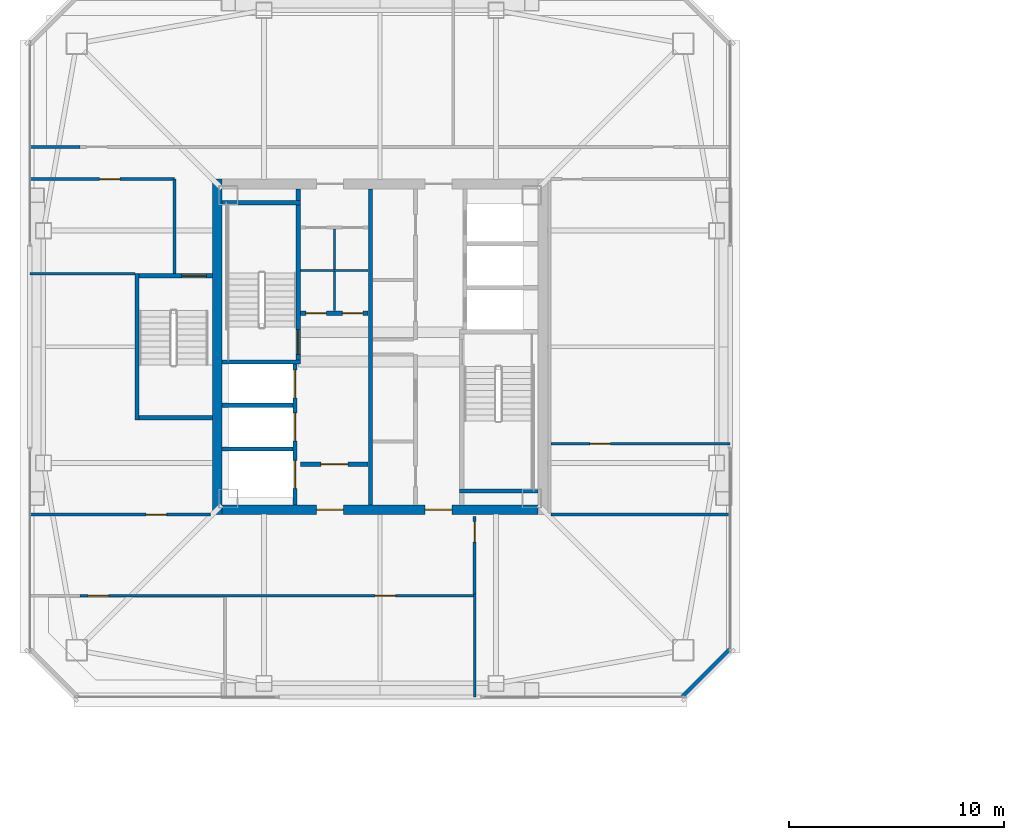
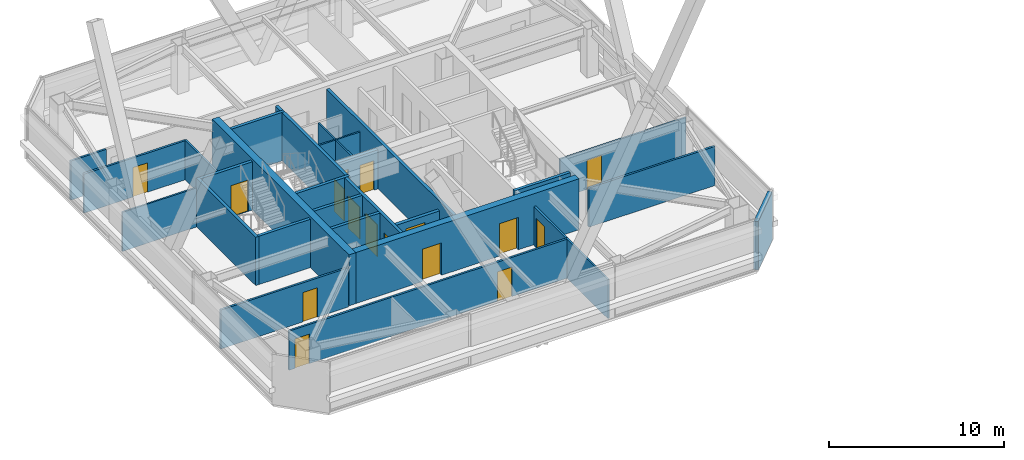
# One storey, part 37 of 47: 28 walls, 16 doors, 16 openings.
"""IFC4 building model written with IfcOpenShell, lengths in metres."""

from ifc_helpers import new_model, si_unit, direction, frame, frame_2d, origin, place, context, subcontext, project, spatial, rectangle, extrude, material, layer, layer_set, type_object, element, fill, save


model = new_model("IFC4")

# Units and contexts
model_context = context("Model", 3, precision=1e-05, world=origin(), true_north=direction((0.0, 1.0)))
body_context = subcontext(model_context, "Body", "Model", "MODEL_VIEW")
ifc_project = project(units=[si_unit("LENGTHUNIT", "METRE"), si_unit("AREAUNIT", "SQUARE_METRE"), si_unit("VOLUMEUNIT", "CUBIC_METRE"), si_unit("PLANEANGLEUNIT", "RADIAN"), si_unit("MASSUNIT", "GRAM", prefix="KILO")], contexts=[model_context])

# Site, building, storey
site_placement = place(None, origin())
site = spatial("IfcSite", under=ifc_project, at=site_placement, CompositionType="ELEMENT")
building_placement = place(site_placement, origin())
building = spatial("IfcBuilding", under=site, at=building_placement, Name="Tashvorn Skyway Center", CompositionType="ELEMENT")
storey_placement = place(building_placement, frame((0.0, 0.0, 204.199951171875)))
storey = spatial("IfcBuildingStorey", under=building, at=storey_placement, Name="L55", CompositionType="ELEMENT", Elevation=204.199951171875)

# Wall
ifc_material_1 = material(Name="Concrete C50/60", Category="concrete")
ifc_layer_1 = layer(ifc_material_1, 0.449951171875)
ifc_layer_set_1 = layer_set([ifc_layer_1], Name="Concrete C50/60")
wall_type_1 = type_object("IfcWallType", Name="WALL-CORE-450", PredefinedType="SHEAR", material=ifc_layer_set_1)
wall_1_placement = place(storey_placement, frame((34.425048828125, 24.199951171875, 0.0), z_axis=(0.0, 0.0, 1.0), x_axis=(0.0, 1.0, 0.0)))
element("IfcWall", 1, at=wall_1_placement, inside=storey, type_object=wall_type_1, Name="Tower 1 L55 West Core Shear Wall", PredefinedType="SHEAR", context=body_context, shape_type="SweptSolid", body=[
    extrude(rectangle(XDim=15.60009765625, YDim=0.449951171875, at=frame_2d((7.800048828125, 0.0))), origin(), (0.0, 0.0, 1.0), 3.550048828125),
])

# Wall, openings, doors
wall_2_placement = place(storey_placement, frame((49.35009765625, 24.425048828125, 0.0), z_axis=(0.0, 0.0, 1.0), x_axis=(-1.0, 0.0, 0.0)))
wall_2 = element("IfcWall", 2, at=wall_2_placement, inside=storey, type_object=wall_type_1, Name="Tower 1 L55 South Core Shear Wall", PredefinedType="SHEAR", context=body_context, shape_type="SweptSolid", body=[
    extrude(rectangle(XDim=14.7001953125, YDim=0.449951171875, at=frame_2d((7.35009765625, 0.0))), origin(), (0.0, 0.0, 1.0), 3.550048828125),
])
opening_1_placement = place(wall_2_placement, frame((9.050048828125, 0.0, 0.0)))
opening_1 = element("IfcOpeningElement", 3, at=opening_1_placement, cuts=wall_2, Name="Opening D-FFL-1250", PredefinedType="OPENING", context=body_context, shape_type="SweptSolid", body=[
    extrude(rectangle(XDim=1.25, YDim=2.25, at=frame_2d((0.625, 1.125))), frame((0.0, 0.23486328125, 0.0), z_axis=(0.0, -1.0, 0.0), x_axis=(1.0, 0.0, 0.0)), (0.0, 0.0, 1.0), 0.469970703125),
])
opening_2_placement = place(wall_2_placement, frame((4.0, 0.0, 0.0)))
opening_2 = element("IfcOpeningElement", 4, at=opening_2_placement, cuts=wall_2, Name="Opening D-FFL-1250", PredefinedType="OPENING", context=body_context, shape_type="SweptSolid", body=[
    extrude(rectangle(XDim=1.25, YDim=2.25, at=frame_2d((0.625, 1.125))), frame((0.0, 0.23486328125, 0.0), z_axis=(0.0, -1.0, 0.0), x_axis=(1.0, 0.0, 0.0)), (0.0, 0.0, 1.0), 0.469970703125),
])
ifc_material_2 = material(Name="Hollow galvanized steel fire door assembly", Category="steel")
door_type_1 = type_object("IfcDoorType", Name="DOOR-FFL-1250", OperationType="NOTDEFINED", PredefinedType="DOOR", material=ifc_material_2)
door_1_placement = place(opening_1_placement, origin())
door_1 = element("IfcDoor", 5, at=door_1_placement, inside=storey, type_object=door_type_1, Name="Tower 1 L55 Core South Firefighting Exit Door", OperationType="SINGLE_SWING_LEFT", OverallHeight=2.25, OverallWidth=1.25, PredefinedType="DOOR", context=body_context, shape_type="SweptSolid", body=[
    extrude(rectangle(XDim=1.25, YDim=2.25, at=frame_2d((0.625, 1.125))), frame((0.0, 0.02490234375, 0.0), z_axis=(0.0, -1.0, 0.0), x_axis=(1.0, 0.0, 0.0)), (0.0, 0.0, 1.0), 0.050048828125),
])
fill(opening_1, door_1)
door_2_placement = place(opening_2_placement, origin())
door_2 = element("IfcDoor", 6, at=door_2_placement, inside=storey, type_object=door_type_1, Name="Tower 1 L55 Core South Lift Lobby Door", OperationType="SINGLE_SWING_RIGHT", OverallHeight=2.25, OverallWidth=1.25, PredefinedType="DOOR", context=body_context, shape_type="SweptSolid", body=[
    extrude(rectangle(XDim=1.25, YDim=2.25, at=frame_2d((0.625, 1.125))), frame((0.0, 0.02490234375, 0.0), z_axis=(0.0, -1.0, 0.0), x_axis=(1.0, 0.0, 0.0)), (0.0, 0.0, 1.0), 0.050048828125),
])
fill(opening_2, door_2)

# Wall
ifc_material_3 = material(Name="Precast concrete C40/50", Category="concrete")
ifc_layer_2 = layer(ifc_material_3, 0.280029296875)
ifc_layer_set_2 = layer_set([ifc_layer_2], Name="Precast concrete C40/50")
wall_type_2 = type_object("IfcWallType", Name="WALL-EXT-280", PredefinedType="SOLIDWALL", material=ifc_layer_set_2)
wall_3_placement = place(storey_placement, frame((58.300048828125, 17.89990234375, 0.0), z_axis=(0.0, 0.0, 1.0), x_axis=(-0.707106781187, -0.707106781187, 0.0)))
element("IfcWall", 7, at=wall_3_placement, inside=storey, type_object=wall_type_2, Name="Tower 1 L55 SE Precast Chamfer Wall", PredefinedType="SOLIDWALL", context=body_context, shape_type="SweptSolid", body=[
    extrude(rectangle(XDim=3.111083984375, YDim=0.280029296875, at=frame_2d((1.5556640625, 0.0))), origin(), (0.0, 0.0, 1.0), 3.3701171875),
])

# Wall, openings, doors
ifc_material_4 = material(Name="Concrete C40/50", Category="concrete")
ifc_layer_3 = layer(ifc_material_4, 0.219970703125)
ifc_layer_set_3 = layer_set([ifc_layer_3], Name="Concrete C40/50")
wall_type_3 = type_object("IfcWallType", Name="WALL-FFL-220", PredefinedType="SOLIDWALL", material=ifc_layer_set_3)
wall_4_placement = place(storey_placement, frame((38.300048828125, 33.56005859375, 0.0), z_axis=(0.0, 0.0, 1.0), x_axis=(1.0, 0.0, 0.0)))
wall_4 = element("IfcWall", 8, at=wall_4_placement, inside=storey, type_object=wall_type_3, Name="Tower 1 L55 Firefighting Lobby North Wall", PredefinedType="SOLIDWALL", context=body_context, shape_type="SweptSolid", body=[
    extrude(rectangle(XDim=3.14990234375, YDim=0.219970703125, at=frame_2d((1.574951171875, 0.0))), origin(), (0.0, 0.0, 1.0), 2.72314453125),
])
opening_3_placement = place(wall_4_placement, frame((0.25, 0.0, 0.0)))
opening_3 = element("IfcOpeningElement", 9, at=opening_3_placement, cuts=wall_4, Name="Opening D-RT-950", PredefinedType="OPENING", context=body_context, shape_type="SweptSolid", body=[
    extrude(rectangle(XDim=0.949951171875, YDim=2.050048828125, at=frame_2d((0.47509765625, 1.02490234375))), frame((0.0, 0.119873046875, 0.0), z_axis=(0.0, -1.0, 0.0), x_axis=(1.0, 0.0, 0.0)), (0.0, 0.0, 1.0), 0.239990234375),
])
opening_4_placement = place(wall_4_placement, frame((1.949951171875, 0.0, 0.0)))
opening_4 = element("IfcOpeningElement", 10, at=opening_4_placement, cuts=wall_4, Name="Opening D-RT-950", PredefinedType="OPENING", context=body_context, shape_type="SweptSolid", body=[
    extrude(rectangle(XDim=0.949951171875, YDim=2.050048828125, at=frame_2d((0.47509765625, 1.02490234375))), frame((0.0, 0.119873046875, 0.0), z_axis=(0.0, -1.0, 0.0), x_axis=(1.0, 0.0, 0.0)), (0.0, 0.0, 1.0), 0.239990234375),
])
door_type_2 = type_object("IfcDoorType", Name="DOOR-RATED-950", OperationType="NOTDEFINED", PredefinedType="DOOR", material=ifc_material_2)
door_3_placement = place(opening_3_placement, origin())
door_3 = element("IfcDoor", 11, at=door_3_placement, inside=storey, type_object=door_type_2, Name="Tower 1 L55 Core Mail Room Door", OperationType="SINGLE_SWING_LEFT", OverallHeight=2.050048828125, OverallWidth=0.949951171875, PredefinedType="DOOR", context=body_context, shape_type="SweptSolid", body=[
    extrude(rectangle(XDim=0.949951171875, YDim=2.050048828125, at=frame_2d((0.47509765625, 1.02490234375))), frame((0.0, 0.02490234375, 0.0), z_axis=(0.0, -1.0, 0.0), x_axis=(1.0, 0.0, 0.0)), (0.0, 0.0, 1.0), 0.050048828125),
])
fill(opening_3, door_3)
door_4_placement = place(opening_4_placement, origin())
door_4 = element("IfcDoor", 12, at=door_4_placement, inside=storey, type_object=door_type_2, Name="Tower 1 L55 Core Supply Closet Door", OperationType="SINGLE_SWING_RIGHT", OverallHeight=2.050048828125, OverallWidth=0.949951171875, PredefinedType="DOOR", context=body_context, shape_type="SweptSolid", body=[
    extrude(rectangle(XDim=0.949951171875, YDim=2.050048828125, at=frame_2d((0.47509765625, 1.02490234375))), frame((0.0, 0.02490234375, 0.0), z_axis=(0.0, -1.0, 0.0), x_axis=(1.0, 0.0, 0.0)), (0.0, 0.0, 1.0), 0.050048828125),
])
fill(opening_4, door_4)

# Wall, opening, door
wall_5_placement = place(storey_placement, frame((38.300048828125, 26.5400390625, 0.0), z_axis=(0.0, 0.0, 1.0), x_axis=(1.0, 0.0, 0.0)))
wall_5 = element("IfcWall", 13, at=wall_5_placement, inside=storey, type_object=wall_type_3, Name="Tower 1 L55 Firefighting Lobby South Wall", PredefinedType="SOLIDWALL", context=body_context, shape_type="SweptSolid", body=[
    extrude(rectangle(XDim=3.14990234375, YDim=0.219970703125, at=frame_2d((1.574951171875, 0.0))), origin(), (0.0, 0.0, 1.0), 2.72314453125),
])
opening_5_placement = place(wall_5_placement, frame((0.949951171875, 0.0, 0.0)))
opening_5 = element("IfcOpeningElement", 14, at=opening_5_placement, cuts=wall_5, Name="Opening D-FFL-1250", PredefinedType="OPENING", context=body_context, shape_type="SweptSolid", body=[
    extrude(rectangle(XDim=1.25, YDim=2.25, at=frame_2d((0.625, 1.125))), frame((0.0, 0.119873046875, 0.0), z_axis=(0.0, -1.0, 0.0), x_axis=(1.0, 0.0, 0.0)), (0.0, 0.0, 1.0), 0.239990234375),
])
door_5_placement = place(opening_5_placement, origin())
door_5 = element("IfcDoor", 15, at=door_5_placement, inside=storey, type_object=door_type_1, Name="Tower 1 L55 Firefighting Lobby Egress Door", OperationType="SINGLE_SWING_LEFT", OverallHeight=2.25, OverallWidth=1.25, PredefinedType="DOOR", context=body_context, shape_type="SweptSolid", body=[
    extrude(rectangle(XDim=1.25, YDim=2.25, at=frame_2d((0.625, 1.125))), frame((0.0, 0.02490234375, 0.0), z_axis=(0.0, -1.0, 0.0), x_axis=(1.0, 0.0, 0.0)), (0.0, 0.0, 1.0), 0.050048828125),
])
fill(opening_5, door_5)

# Wall
ifc_material_5 = material(Name="Gypsum board on cold-formed steel stud framing", Category="steel")
ifc_layer_4 = layer(ifc_material_5, 0.110107421875)
ifc_layer_set_4 = layer_set([ifc_layer_4], Name="Gypsum board on cold-formed steel stud framing")
wall_type_4 = type_object("IfcWallType", Name="WALL-PART-110", PredefinedType="PARTITIONING", material=ifc_layer_set_4)
wall_6_placement = place(storey_placement, frame((46.39990234375, 15.719970703125, 0.0), z_axis=(0.0, 0.0, 1.0), x_axis=(0.0, 1.0, 0.0)))
element("IfcWall", 16, at=wall_6_placement, inside=storey, type_object=wall_type_4, Name="Tower 1 L55 South-East Suite Wall", PredefinedType="PARTITIONING", context=body_context, shape_type="SweptSolid", body=[
    extrude(rectangle(XDim=4.7900390625, YDim=0.110107421875, at=frame_2d((2.39501953125, 0.0))), origin(), (0.0, 0.0, 1.0), 2.72314453125),
])

# Wall, opening, door
wall_7_placement = place(storey_placement, frame((49.9599609375, 27.5, 0.0), z_axis=(0.0, 0.0, 1.0), x_axis=(1.0, 0.0, 0.0)))
wall_7 = element("IfcWall", 17, at=wall_7_placement, inside=storey, type_object=wall_type_4, Name="Tower 1 L55 East Mid Partition", PredefinedType="PARTITIONING", context=body_context, shape_type="SweptSolid", body=[
    extrude(rectangle(XDim=8.320068359375, YDim=0.110107421875, at=frame_2d((4.16015625, 0.0))), origin(), (0.0, 0.0, 1.0), 2.72314453125),
])
opening_6_placement = place(wall_7_placement, frame((1.800048828125, 0.0, 0.0)))
opening_6 = element("IfcOpeningElement", 18, at=opening_6_placement, cuts=wall_7, Name="Opening D-INT-950", PredefinedType="OPENING", context=body_context, shape_type="SweptSolid", body=[
    extrude(rectangle(XDim=0.949951171875, YDim=2.050048828125, at=frame_2d((0.47509765625, 1.02490234375))), frame((0.0, 0.06494140625, 0.0), z_axis=(0.0, -1.0, 0.0), x_axis=(1.0, 0.0, 0.0)), (0.0, 0.0, 1.0), 0.130126953125),
])
ifc_material_6 = material(Name="Solid-core architectural oak veneer door")
door_type_3 = type_object("IfcDoorType", Name="DOOR-INT-950", OperationType="NOTDEFINED", PredefinedType="DOOR", material=ifc_material_6)
door_6_placement = place(opening_6_placement, origin())
door_6 = element("IfcDoor", 19, at=door_6_placement, inside=storey, type_object=door_type_3, Name="Tower 1 L55 Corporate Office Door", OperationType="SINGLE_SWING_RIGHT", OverallHeight=2.050048828125, OverallWidth=0.949951171875, PredefinedType="DOOR", context=body_context, shape_type="SweptSolid", body=[
    extrude(rectangle(XDim=0.949951171875, YDim=2.050048828125, at=frame_2d((0.47509765625, 1.02490234375))), frame((0.0, 0.02490234375, 0.0), z_axis=(0.0, -1.0, 0.0), x_axis=(1.0, 0.0, 0.0)), (0.0, 0.0, 1.0), 0.050048828125),
])
fill(opening_6, door_6)

# Walls
wall_8_placement = place(storey_placement, frame((30.60009765625, 35.39990234375, 0.0), z_axis=(0.0, 0.0, 1.0), x_axis=(-1.0, 0.0, 0.0)))
element("IfcWall", 20, at=wall_8_placement, inside=storey, type_object=wall_type_4, Name="Tower 1 L55 West Suite Partition 1", PredefinedType="PARTITIONING", context=body_context, shape_type="SweptSolid", body=[
    extrude(rectangle(XDim=4.880126953125, YDim=0.110107421875, at=frame_2d((2.43994140625, 0.0))), origin(), (0.0, 0.0, 1.0), 2.72314453125),
])
ifc_layer_5 = layer(ifc_material_5, 0.135009765625)
ifc_layer_set_5 = layer_set([ifc_layer_5], Name="Gypsum board on cold-formed steel stud framing")
wall_type_5 = type_object("IfcWallType", Name="WALL-PART-135", PredefinedType="PARTITIONING", material=ifc_layer_set_5)
wall_9_placement = place(storey_placement, frame((32.449951171875, 35.39990234375, 0.0), z_axis=(0.0, 0.0, 1.0), x_axis=(0.0, 1.0, 0.0)))
element("IfcWall", 21, at=wall_9_placement, inside=storey, type_object=wall_type_5, Name="Tower 1 L55 Stair 3 Access Corridor Wall", PredefinedType="PARTITIONING", context=body_context, shape_type="SweptSolid", body=[
    extrude(rectangle(XDim=4.400146484375, YDim=0.135009765625, at=frame_2d((2.2001953125, 0.0))), origin(), (0.0, 0.0, 1.0), 2.72314453125),
])
wall_10_placement = place(storey_placement, frame((25.719970703125, 41.300048828125, 0.0), z_axis=(0.0, 0.0, 1.0), x_axis=(1.0, 0.0, 0.0)))
element("IfcWall", 22, at=wall_10_placement, inside=storey, type_object=wall_type_5, Name="Tower 1 L55 North-West Suite South Wall", PredefinedType="PARTITIONING", context=body_context, shape_type="SweptSolid", body=[
    extrude(rectangle(XDim=2.330078125, YDim=0.135009765625, at=frame_2d((1.1650390625, 0.0))), origin(), (0.0, 0.0, 1.0), 2.72314453125),
])

# Wall, openings, doors
wall_11_placement = place(storey_placement, frame((46.39990234375, 20.429931640625, 0.0), z_axis=(0.0, 0.0, 1.0), x_axis=(-1.0, 0.0, 0.0)))
wall_11 = element("IfcWall", 23, at=wall_11_placement, inside=storey, type_object=wall_type_5, Name="Tower 1 L55 South Suite Wall", PredefinedType="PARTITIONING", context=body_context, shape_type="SweptSolid", body=[
    extrude(rectangle(XDim=18.349853515625, YDim=0.135009765625, at=frame_2d((9.1748046875, 0.0))), origin(), (0.0, 0.0, 1.0), 2.72314453125),
])
opening_7_placement = place(wall_11_placement, frame((17.02001953125, 0.0, 0.0)))
opening_7 = element("IfcOpeningElement", 24, at=opening_7_placement, cuts=wall_11, Name="Opening D-INT-950", PredefinedType="OPENING", context=body_context, shape_type="SweptSolid", body=[
    extrude(rectangle(XDim=0.949951171875, YDim=2.050048828125, at=frame_2d((0.47509765625, 1.02490234375))), frame((0.0, 0.077392578125, 0.0), z_axis=(0.0, -1.0, 0.0), x_axis=(1.0, 0.0, 0.0)), (0.0, 0.0, 1.0), 0.155029296875),
])
opening_8_placement = place(wall_11_placement, frame((3.6767578125, 0.0, 0.0)))
opening_8 = element("IfcOpeningElement", 25, at=opening_8_placement, cuts=wall_11, Name="Opening D-INT-950", PredefinedType="OPENING", context=body_context, shape_type="SweptSolid", body=[
    extrude(rectangle(XDim=0.949951171875, YDim=2.050048828125, at=frame_2d((0.47509765625, 1.02490234375))), frame((0.0, 0.077392578125, 0.0), z_axis=(0.0, -1.0, 0.0), x_axis=(1.0, 0.0, 0.0)), (0.0, 0.0, 1.0), 0.155029296875),
])
door_7_placement = place(opening_7_placement, origin())
door_7 = element("IfcDoor", 26, at=door_7_placement, inside=storey, type_object=door_type_3, Name="Tower 1 L55 Wellness Clinic Door", OperationType="SINGLE_SWING_RIGHT", OverallHeight=2.050048828125, OverallWidth=0.949951171875, PredefinedType="DOOR", context=body_context, shape_type="SweptSolid", body=[
    extrude(rectangle(XDim=0.949951171875, YDim=2.050048828125, at=frame_2d((0.47509765625, 1.02490234375))), frame((0.0, 0.02490234375, 0.0), z_axis=(0.0, -1.0, 0.0), x_axis=(1.0, 0.0, 0.0)), (0.0, 0.0, 1.0), 0.050048828125),
])
fill(opening_7, door_7)
door_8_placement = place(opening_8_placement, origin())
door_8 = element("IfcDoor", 27, at=door_8_placement, inside=storey, type_object=door_type_3, Name="Tower 1 L55 Collaborative Studio Door", OperationType="SINGLE_SWING_LEFT", OverallHeight=2.050048828125, OverallWidth=0.949951171875, PredefinedType="DOOR", context=body_context, shape_type="SweptSolid", body=[
    extrude(rectangle(XDim=0.949951171875, YDim=2.050048828125, at=frame_2d((0.47509765625, 1.02490234375))), frame((0.0, 0.02490234375, 0.0), z_axis=(0.0, -1.0, 0.0), x_axis=(1.0, 0.0, 0.0)), (0.0, 0.0, 1.0), 0.050048828125),
])
fill(opening_8, door_8)

# Wall, opening, door
wall_12_placement = place(storey_placement, frame((46.39990234375, 24.1201171875, 0.0), z_axis=(0.0, 0.0, 1.0), x_axis=(0.0, -1.0, 0.0)))
wall_12 = element("IfcWall", 28, at=wall_12_placement, inside=storey, type_object=wall_type_5, Name="Tower 1 L55 South Gallery End Wall", PredefinedType="PARTITIONING", context=body_context, shape_type="SweptSolid", body=[
    extrude(rectangle(XDim=3.610107421875, YDim=0.135009765625, at=frame_2d((1.80517578125, 0.0))), origin(), (0.0, 0.0, 1.0), 2.72314453125),
])
opening_9_placement = place(wall_12_placement, frame((0.25, 0.0, 0.0)))
opening_9 = element("IfcOpeningElement", 29, at=opening_9_placement, cuts=wall_12, Name="Opening D-INT-950", PredefinedType="OPENING", context=body_context, shape_type="SweptSolid", body=[
    extrude(rectangle(XDim=0.949951171875, YDim=2.050048828125, at=frame_2d((0.47509765625, 1.02490234375))), frame((0.0, 0.077392578125, 0.0), z_axis=(0.0, -1.0, 0.0), x_axis=(1.0, 0.0, 0.0)), (0.0, 0.0, 1.0), 0.155029296875),
])
door_9_placement = place(opening_9_placement, origin())
door_9 = element("IfcDoor", 30, at=door_9_placement, inside=storey, type_object=door_type_3, Name="Tower 1 L55 Operations Control Room Door", OperationType="SINGLE_SWING_RIGHT", OverallHeight=2.050048828125, OverallWidth=0.949951171875, PredefinedType="DOOR", context=body_context, shape_type="SweptSolid", body=[
    extrude(rectangle(XDim=0.949951171875, YDim=2.050048828125, at=frame_2d((0.47509765625, 1.02490234375))), frame((0.0, 0.02490234375, 0.0), z_axis=(0.0, -1.0, 0.0), x_axis=(1.0, 0.0, 0.0)), (0.0, 0.0, 1.0), 0.050048828125),
])
fill(opening_9, door_9)

# Wall
wall_13_placement = place(storey_placement, frame((49.9599609375, 24.199951171875, 0.0), z_axis=(0.0, 0.0, 1.0), x_axis=(1.0, 0.0, 0.0)))
element("IfcWall", 31, at=wall_13_placement, inside=storey, type_object=wall_type_5, Name="Tower 1 L55 East Suite South Wall", PredefinedType="PARTITIONING", context=body_context, shape_type="SweptSolid", body=[
    extrude(rectangle(XDim=8.320068359375, YDim=0.135009765625, at=frame_2d((4.16015625, 0.0))), origin(), (0.0, 0.0, 1.0), 2.72314453125),
])

# Wall, opening, door
wall_14_placement = place(storey_placement, frame((32.449951171875, 39.800048828125, 0.0), z_axis=(0.0, 0.0, 1.0), x_axis=(-1.0, 0.0, 0.0)))
wall_14 = element("IfcWall", 32, at=wall_14_placement, inside=storey, type_object=wall_type_5, Name="Tower 1 L55 West Suite North Wall", PredefinedType="PARTITIONING", context=body_context, shape_type="SweptSolid", body=[
    extrude(rectangle(XDim=6.72998046875, YDim=0.135009765625, at=frame_2d((3.364990234375, 0.0))), origin(), (0.0, 0.0, 1.0), 2.72314453125),
])
opening_10_placement = place(wall_14_placement, frame((2.5400390625, 0.0, 0.0)))
opening_10 = element("IfcOpeningElement", 33, at=opening_10_placement, cuts=wall_14, Name="Opening D-INT-950", PredefinedType="OPENING", context=body_context, shape_type="SweptSolid", body=[
    extrude(rectangle(XDim=0.949951171875, YDim=2.050048828125, at=frame_2d((0.47509765625, 1.02490234375))), frame((0.0, 0.077392578125, 0.0), z_axis=(0.0, -1.0, 0.0), x_axis=(1.0, 0.0, 0.0)), (0.0, 0.0, 1.0), 0.155029296875),
])
door_10_placement = place(opening_10_placement, origin())
door_10 = element("IfcDoor", 34, at=door_10_placement, inside=storey, type_object=door_type_3, Name="Tower 1 L55 Corporate Office Door", OperationType="SINGLE_SWING_LEFT", OverallHeight=2.050048828125, OverallWidth=0.949951171875, PredefinedType="DOOR", context=body_context, shape_type="SweptSolid", body=[
    extrude(rectangle(XDim=0.949951171875, YDim=2.050048828125, at=frame_2d((0.47509765625, 1.02490234375))), frame((0.0, 0.02490234375, 0.0), z_axis=(0.0, -1.0, 0.0), x_axis=(1.0, 0.0, 0.0)), (0.0, 0.0, 1.0), 0.050048828125),
])
fill(opening_10, door_10)

wall_15_placement = place(storey_placement, frame((25.719970703125, 24.199951171875, 0.0), z_axis=(0.0, 0.0, 1.0), x_axis=(1.0, 0.0, 0.0)))
wall_15 = element("IfcWall", 35, at=wall_15_placement, inside=storey, type_object=wall_type_5, Name="Tower 1 L55 West Suite South Wall", PredefinedType="PARTITIONING", context=body_context, shape_type="SweptSolid", body=[
    extrude(rectangle(XDim=8.400146484375, YDim=0.135009765625, at=frame_2d((4.2001953125, 0.0))), origin(), (0.0, 0.0, 1.0), 2.72314453125),
])
opening_11_placement = place(wall_15_placement, frame((5.405029296875, 0.0, 0.0)))
opening_11 = element("IfcOpeningElement", 36, at=opening_11_placement, cuts=wall_15, Name="Opening D-INT-950", PredefinedType="OPENING", context=body_context, shape_type="SweptSolid", body=[
    extrude(rectangle(XDim=0.949951171875, YDim=2.050048828125, at=frame_2d((0.47509765625, 1.02490234375))), frame((0.0, 0.077392578125, 0.0), z_axis=(0.0, -1.0, 0.0), x_axis=(1.0, 0.0, 0.0)), (0.0, 0.0, 1.0), 0.155029296875),
])
door_11_placement = place(opening_11_placement, origin())
door_11 = element("IfcDoor", 37, at=door_11_placement, inside=storey, type_object=door_type_3, Name="Tower 1 L55 Public Restroom Door", OperationType="SINGLE_SWING_RIGHT", OverallHeight=2.050048828125, OverallWidth=0.949951171875, PredefinedType="DOOR", context=body_context, shape_type="SweptSolid", body=[
    extrude(rectangle(XDim=0.949951171875, YDim=2.050048828125, at=frame_2d((0.47509765625, 1.02490234375))), frame((0.0, 0.02490234375, 0.0), z_axis=(0.0, -1.0, 0.0), x_axis=(1.0, 0.0, 0.0)), (0.0, 0.0, 1.0), 0.050048828125),
])
fill(opening_11, door_11)

# Walls
ifc_layer_6 = layer(ifc_material_5, 0.110107421875)
ifc_layer_set_6 = layer_set([ifc_layer_6], Name="Gypsum board on cold-formed steel stud framing")
wall_type_6 = type_object("IfcWallType", Name="WALL-RATED-110", PredefinedType="PARTITIONING", material=ifc_layer_set_6)
wall_16_placement = place(storey_placement, frame((39.8798828125, 33.679931640625, 0.0), z_axis=(0.0, 0.0, 1.0), x_axis=(0.0, 1.0, 0.0)))
element("IfcWall", 38, at=wall_16_placement, inside=storey, type_object=wall_type_6, Name="Tower 1 L55 Core Cross Vertical", PredefinedType="PARTITIONING", context=body_context, shape_type="SweptSolid", body=[
    extrude(rectangle(XDim=3.800048828125, YDim=0.110107421875, at=frame_2d((1.89990234375, 0.0))), origin(), (0.0, 0.0, 1.0), 2.72314453125),
])
wall_17_placement = place(storey_placement, frame((38.300048828125, 35.550048828125, 0.0), z_axis=(0.0, 0.0, 1.0), x_axis=(1.0, 0.0, 0.0)))
element("IfcWall", 39, at=wall_17_placement, inside=storey, type_object=wall_type_6, Name="Tower 1 L55 Core Cross Horizontal", PredefinedType="PARTITIONING", context=body_context, shape_type="SweptSolid", body=[
    extrude(rectangle(XDim=3.14990234375, YDim=0.110107421875, at=frame_2d((1.574951171875, 0.0))), origin(), (0.0, 0.0, 1.0), 2.72314453125),
])
ifc_layer_7 = layer(ifc_material_4, 0.199951171875)
ifc_layer_set_7 = layer_set([ifc_layer_7], Name="Concrete C40/50")
wall_type_7 = type_object("IfcWallType", Name="WALL-SHAFT-200", PredefinedType="SOLIDWALL", material=ifc_layer_set_7)
for number, where, z_axis, x_axis, name in (
    (40, (34.64990234375, 27.25, 0.0), (0.0, 0.0, 1.0), (1.0, 0.0, 0.0), "Tower 1 L55 FSAE Shaft Divider"),
    (41, (34.64990234375, 29.280029296875, 0.0), (0.0, 0.0, 1.0), (1.0, 0.0, 0.0), "Tower 1 L55 FSAE Shaft Divider"),
):
    element("IfcWall", number, at=place(storey_placement, frame(where, z_axis=z_axis, x_axis=x_axis)), inside=storey, type_object=wall_type_7, Name=name, PredefinedType="SOLIDWALL", context=body_context, shape_type="SweptSolid", body=[
        extrude(rectangle(XDim=3.300048828125, YDim=0.199951171875, at=frame_2d((1.64990234375, 0.0))), origin(), (0.0, 0.0, 1.0), 3.3701171875),
    ])

# Wall, opening, door
ifc_layer_8 = layer(ifc_material_4, 0.199951171875)
ifc_layer_set_8 = layer_set([ifc_layer_8], Name="Concrete C40/50")
wall_type_8 = type_object("IfcWallType", Name="WALL-STSHF-200", PredefinedType="SHEAR", material=ifc_layer_set_8)
wall_18_placement = place(storey_placement, frame((38.199951171875, 31.199951171875, 0.0), z_axis=(0.0, 0.0, 1.0), x_axis=(0.0, 1.0, 0.0)))
wall_18 = element("IfcWall", 42, at=wall_18_placement, inside=storey, type_object=wall_type_8, Name="Tower 1 L55 Stair 1 Enclosure Wall", PredefinedType="SHEAR", context=body_context, shape_type="SweptSolid", body=[
    extrude(rectangle(XDim=8.150146484375, YDim=0.199951171875, at=frame_2d((4.0751953125, 0.0))), origin(), (0.0, 0.0, 1.0), 3.3701171875),
])
opening_12_placement = place(wall_18_placement, frame((0.449951171875, 0.0, 0.0)))
opening_12 = element("IfcOpeningElement", 43, at=opening_12_placement, cuts=wall_18, Name="Opening D-ST-1150", PredefinedType="OPENING", context=body_context, shape_type="SweptSolid", body=[
    extrude(rectangle(XDim=1.14990234375, YDim=2.199951171875, at=frame_2d((0.574951171875, 1.10009765625))), frame((0.0, 0.10986328125, 0.0), z_axis=(0.0, -1.0, 0.0), x_axis=(1.0, 0.0, 0.0)), (0.0, 0.0, 1.0), 0.219970703125),
])
door_type_4 = type_object("IfcDoorType", Name="DOOR-STAIR-1150", OperationType="NOTDEFINED", PredefinedType="DOOR", material=ifc_material_2)
door_12_placement = place(opening_12_placement, origin())
door_12 = element("IfcDoor", 44, at=door_12_placement, inside=storey, type_object=door_type_4, Name="Tower 1 L55 Exit Stair 1 Door", OperationType="SINGLE_SWING_RIGHT", OverallHeight=2.199951171875, OverallWidth=1.14990234375, PredefinedType="DOOR", context=body_context, shape_type="SweptSolid", body=[
    extrude(rectangle(XDim=1.14990234375, YDim=2.199951171875, at=frame_2d((0.574951171875, 1.10009765625))), frame((0.0, 0.02490234375, 0.0), z_axis=(0.0, -1.0, 0.0), x_axis=(1.0, 0.0, 0.0)), (0.0, 0.0, 1.0), 0.050048828125),
])
fill(opening_12, door_12)

# Walls
for number, where, z_axis, x_axis, name in (
    (45, (34.64990234375, 31.300048828125, 0.0), (0.0, 0.0, 1.0), (1.0, 0.0, 0.0), "Tower 1 L55 Stair 1 South Wall"),
    (46, (34.64990234375, 38.699951171875, 0.0), (0.0, 0.0, 1.0), (1.0, 0.0, 0.0), "Tower 1 L55 Stair 1 North Wall"),
    (47, (45.699951171875, 25.300048828125, 0.0), (0.0, 0.0, 1.0), (1.0, 0.0, 0.0), "Tower 1 L55 Stair 2 South Wall"),
):
    element("IfcWall", number, at=place(storey_placement, frame(where, z_axis=z_axis, x_axis=x_axis)), inside=storey, type_object=wall_type_8, Name=name, PredefinedType="SHEAR", context=body_context, shape_type="SweptSolid", body=[
        extrude(rectangle(XDim=3.650146484375, YDim=0.199951171875, at=frame_2d((1.8251953125, 0.0))), origin(), (0.0, 0.0, 1.0), 3.3701171875),
    ])
wall_19_placement = place(storey_placement, frame((41.56005859375, 24.64990234375, 0.0), z_axis=(0.0, 0.0, 1.0), x_axis=(0.0, 1.0, 0.0)))
element("IfcWall", 48, at=wall_19_placement, inside=storey, type_object=wall_type_8, Name="Tower 1 L55 Firefighting Lobby East Smoke Barrier", PredefinedType="SHEAR", context=body_context, shape_type="SweptSolid", body=[
    extrude(rectangle(XDim=14.7001953125, YDim=0.199951171875, at=frame_2d((7.35009765625, 0.0))), origin(), (0.0, 0.0, 1.0), 3.3701171875),
])

# Wall, openings, doors
wall_20_placement = place(storey_placement, frame((38.050048828125, 24.64990234375, 0.0), z_axis=(0.0, 0.0, 1.0), x_axis=(0.0, 1.0, 0.0)))
wall_20 = element("IfcWall", 49, at=wall_20_placement, inside=storey, type_object=wall_type_8, Name="Tower 1 L55 FSAE and Goods Shaft Front Wall", PredefinedType="SHEAR", context=body_context, shape_type="SweptSolid", body=[
    extrude(rectangle(XDim=6.550048828125, YDim=0.199951171875, at=frame_2d((3.27490234375, 0.0))), origin(), (0.0, 0.0, 1.0), 3.3701171875),
])
opening_13_placement = place(wall_20_placement, frame((4.97509765625, 0.0, 0.0)))
opening_13 = element("IfcOpeningElement", 50, at=opening_13_placement, cuts=wall_20, Name="Opening LD-FF-T1-1-L55", PredefinedType="OPENING", context=body_context, shape_type="SweptSolid", body=[
    extrude(rectangle(XDim=1.300048828125, YDim=2.25, at=frame_2d((0.64990234375, 1.125))), frame((0.0, 0.10986328125, 0.0), z_axis=(0.0, -1.0, 0.0), x_axis=(1.0, 0.0, 0.0)), (0.0, 0.0, 1.0), 0.219970703125),
])
opening_14_placement = place(wall_20_placement, frame((2.97509765625, 0.0, 0.0)))
opening_14 = element("IfcOpeningElement", 51, at=opening_14_placement, cuts=wall_20, Name="Opening LD-FF-T1-2-L55", PredefinedType="OPENING", context=body_context, shape_type="SweptSolid", body=[
    extrude(rectangle(XDim=1.300048828125, YDim=2.25, at=frame_2d((0.64990234375, 1.125))), frame((0.0, 0.10986328125, 0.0), z_axis=(0.0, -1.0, 0.0), x_axis=(1.0, 0.0, 0.0)), (0.0, 0.0, 1.0), 0.219970703125),
])
opening_15_placement = place(wall_20_placement, frame((0.77490234375, 0.0, 0.0)))
opening_15 = element("IfcOpeningElement", 52, at=opening_15_placement, cuts=wall_20, Name="Opening LD-GD-T1-1-L55", PredefinedType="OPENING", context=body_context, shape_type="SweptSolid", body=[
    extrude(rectangle(XDim=1.300048828125, YDim=2.25, at=frame_2d((0.64990234375, 1.125))), frame((0.0, 0.10986328125, 0.0), z_axis=(0.0, -1.0, 0.0), x_axis=(1.0, 0.0, 0.0)), (0.0, 0.0, 1.0), 0.219970703125),
])
ifc_material_7 = material(Name="Stainless steel heavy-duty landing door", Category="steel")
door_type_5 = type_object("IfcDoorType", Name="DOOR-LIFT-1300", OperationType="SLIDING_TO_LEFT", PredefinedType="DOOR", material=ifc_material_7)
door_13_placement = place(opening_13_placement, origin())
door_13 = element("IfcDoor", 53, at=door_13_placement, inside=storey, type_object=door_type_5, Name="Lift FF-T1-1 L55 Landing Door", OperationType="SLIDING_TO_LEFT", OverallHeight=2.25, OverallWidth=1.300048828125, PredefinedType="DOOR", context=body_context, shape_type="SweptSolid", body=[
    extrude(rectangle(XDim=1.300048828125, YDim=2.25, at=frame_2d((0.64990234375, 1.125))), frame((0.0, 0.02490234375, 0.0), z_axis=(0.0, -1.0, 0.0), x_axis=(1.0, 0.0, 0.0)), (0.0, 0.0, 1.0), 0.050048828125),
])
fill(opening_13, door_13)
door_14_placement = place(opening_14_placement, origin())
door_14 = element("IfcDoor", 54, at=door_14_placement, inside=storey, type_object=door_type_5, Name="Lift FF-T1-2 L55 Landing Door", OperationType="SLIDING_TO_LEFT", OverallHeight=2.25, OverallWidth=1.300048828125, PredefinedType="DOOR", context=body_context, shape_type="SweptSolid", body=[
    extrude(rectangle(XDim=1.300048828125, YDim=2.25, at=frame_2d((0.64990234375, 1.125))), frame((0.0, 0.02490234375, 0.0), z_axis=(0.0, -1.0, 0.0), x_axis=(1.0, 0.0, 0.0)), (0.0, 0.0, 1.0), 0.050048828125),
])
fill(opening_14, door_14)
door_15_placement = place(opening_15_placement, origin())
door_15 = element("IfcDoor", 55, at=door_15_placement, inside=storey, type_object=door_type_5, Name="Lift GD-T1-1 L55 Landing Door", OperationType="SLIDING_TO_LEFT", OverallHeight=2.25, OverallWidth=1.300048828125, PredefinedType="DOOR", context=body_context, shape_type="SweptSolid", body=[
    extrude(rectangle(XDim=1.300048828125, YDim=2.25, at=frame_2d((0.64990234375, 1.125))), frame((0.0, 0.02490234375, 0.0), z_axis=(0.0, -1.0, 0.0), x_axis=(1.0, 0.0, 0.0)), (0.0, 0.0, 1.0), 0.050048828125),
])
fill(opening_15, door_15)

# Wall
wall_21_placement = place(storey_placement, frame((30.699951171875, 28.60009765625, 0.0), z_axis=(0.0, 0.0, 1.0), x_axis=(0.0, 1.0, 0.0)))
element("IfcWall", 56, at=wall_21_placement, inside=storey, type_object=wall_type_8, Name="Tower 1 L55 Stair 3 Outer Wall", PredefinedType="SHEAR", context=body_context, shape_type="SweptSolid", body=[
    extrude(rectangle(XDim=6.7998046875, YDim=0.199951171875, at=frame_2d((3.39990234375, 0.0))), origin(), (0.0, 0.0, 1.0), 3.3701171875),
])

# Wall, opening, door
wall_22_placement = place(storey_placement, frame((34.199951171875, 35.300048828125, 0.0), z_axis=(0.0, 0.0, 1.0), x_axis=(-1.0, 0.0, 0.0)))
wall_22 = element("IfcWall", 57, at=wall_22_placement, inside=storey, type_object=wall_type_8, Name="Tower 1 L55 Stair 3 Enclosure Wall", PredefinedType="SHEAR", context=body_context, shape_type="SweptSolid", body=[
    extrude(rectangle(XDim=3.39990234375, YDim=0.199951171875, at=frame_2d((1.699951171875, 0.0))), origin(), (0.0, 0.0, 1.0), 3.3701171875),
])
opening_16_placement = place(wall_22_placement, frame((0.27490234375, 0.0, 0.0)))
opening_16 = element("IfcOpeningElement", 58, at=opening_16_placement, cuts=wall_22, Name="Opening D-ST-1150", PredefinedType="OPENING", context=body_context, shape_type="SweptSolid", body=[
    extrude(rectangle(XDim=1.14990234375, YDim=2.199951171875, at=frame_2d((0.574951171875, 1.10009765625))), frame((0.0, 0.10986328125, 0.0), z_axis=(0.0, -1.0, 0.0), x_axis=(1.0, 0.0, 0.0)), (0.0, 0.0, 1.0), 0.219970703125),
])
door_16_placement = place(opening_16_placement, origin())
door_16 = element("IfcDoor", 59, at=door_16_placement, inside=storey, type_object=door_type_4, Name="Tower 1 L55 Exit Stair 3 Door", OperationType="SINGLE_SWING_RIGHT", OverallHeight=2.199951171875, OverallWidth=1.14990234375, PredefinedType="DOOR", context=body_context, shape_type="SweptSolid", body=[
    extrude(rectangle(XDim=1.14990234375, YDim=2.199951171875, at=frame_2d((0.574951171875, 1.10009765625))), frame((0.0, 0.02490234375, 0.0), z_axis=(0.0, -1.0, 0.0), x_axis=(1.0, 0.0, 0.0)), (0.0, 0.0, 1.0), 0.050048828125),
])
fill(opening_16, door_16)

# Wall
wall_23_placement = place(storey_placement, frame((30.800048828125, 28.699951171875, 0.0), z_axis=(0.0, 0.0, 1.0), x_axis=(1.0, 0.0, 0.0)))
element("IfcWall", 60, at=wall_23_placement, inside=storey, type_object=wall_type_8, Name="Tower 1 L55 Stair 3 South Wall", PredefinedType="SHEAR", context=body_context, shape_type="SweptSolid", body=[
    extrude(rectangle(XDim=3.39990234375, YDim=0.199951171875, at=frame_2d((1.699951171875, 0.0))), origin(), (0.0, 0.0, 1.0), 3.3701171875),
])

save(model, "model.ifc")
